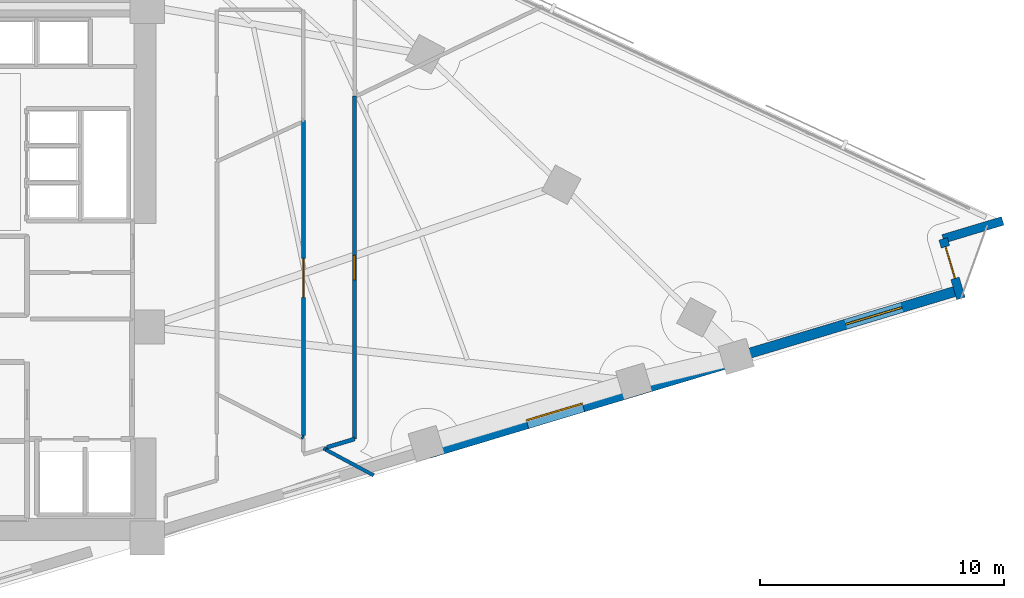
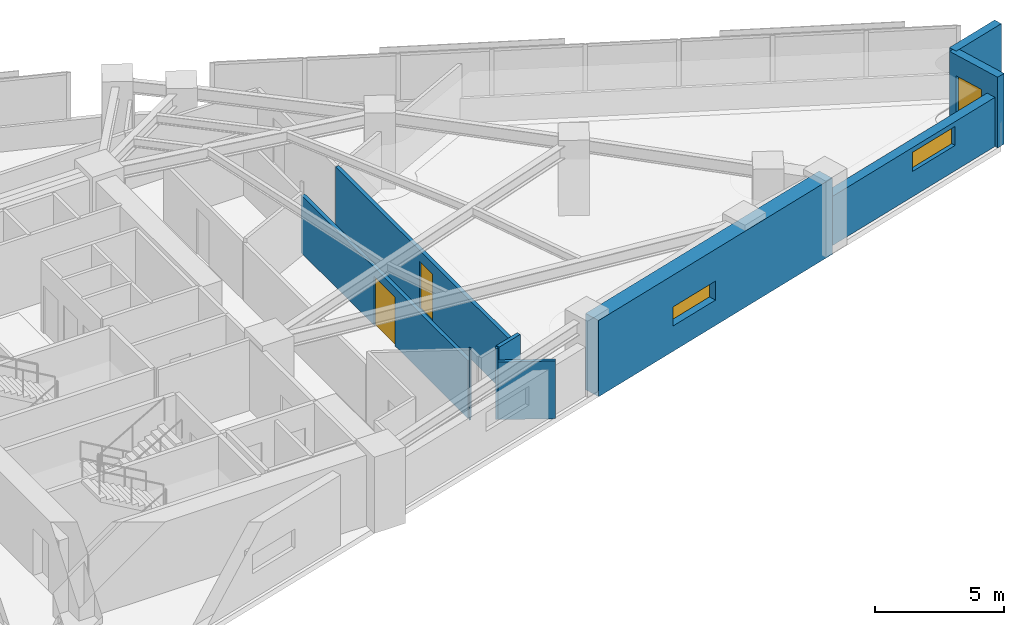
# One storey, part 12 of 16: 10 walls, 3 doors, 2 windows, 5 openings.
"""IFC4 building model written with IfcOpenShell, lengths in metres."""

from ifc_helpers import new_model, si_unit, direction, frame, frame_2d, origin, place, context, subcontext, project, spatial, rectangle, extrude, material, layer, layer_set, type_object, element, fill, save


model = new_model("IFC4")

# Units and contexts
model_context = context("Model", 3, precision=1e-05, world=origin(), true_north=direction((0.0, 1.0)))
body_context = subcontext(model_context, "Body", "Model", "MODEL_VIEW")
ifc_project = project(units=[si_unit("LENGTHUNIT", "METRE"), si_unit("AREAUNIT", "SQUARE_METRE"), si_unit("VOLUMEUNIT", "CUBIC_METRE"), si_unit("PLANEANGLEUNIT", "RADIAN"), si_unit("MASSUNIT", "GRAM", prefix="KILO")], contexts=[model_context])

# Site, building, storey
site_placement = place(None, origin())
site = spatial("IfcSite", under=ifc_project, at=site_placement, CompositionType="ELEMENT")
building_placement = place(site_placement, origin())
building = spatial("IfcBuilding", under=site, at=building_placement, Name="Narakoshi Arena Tower", CompositionType="ELEMENT")
storey_placement = place(building_placement, frame((0.0, 0.0, 146.699951171875)))
storey = spatial("IfcBuildingStorey", under=building, at=storey_placement, Name="L39", CompositionType="ELEMENT", Elevation=146.699951171875)

# Wall, opening, door
ifc_material_1 = material(Name="Gypsum plasterboard fire-rated partition")
ifc_layer_1 = layer(ifc_material_1, 0.1650390625)
ifc_layer_set_1 = layer_set([ifc_layer_1], Name="Gypsum plasterboard fire-rated partition")
wall_type_1 = type_object("IfcWallType", Name="WL-CORR-165", PredefinedType="PARTITIONING", material=ifc_layer_set_1)
wall_1_placement = place(storey_placement, frame((91.949951171875, 51.816650390625, 0.0), z_axis=(0.0, 0.0, 1.0), x_axis=(0.0, -1.0, 0.0)))
wall_1 = element("IfcWall", 1, at=wall_1_placement, inside=storey, type_object=wall_type_1, Name="L39 Corridor Partition 03-1", PredefinedType="PARTITIONING", context=body_context, shape_type="SweptSolid", body=[
    extrude(rectangle(XDim=12.907958984375, YDim=0.1650390625, at=frame_2d((6.4541015625, 0.0))), origin(), (0.0, 0.0, 1.0), 2.72509765625),
])
opening_1_placement = place(wall_1_placement, frame((5.65380859375, 0.0, 0.0)))
opening_1 = element("IfcOpeningElement", 2, at=opening_1_placement, cuts=wall_1, Name="Opening D-05", PredefinedType="OPENING", context=body_context, shape_type="SweptSolid", body=[
    extrude(rectangle(XDim=1.60009765625, YDim=2.300048828125, at=frame_2d((0.800048828125, 1.14990234375))), frame((0.0, 0.092529296875, 0.0), z_axis=(0.0, -1.0, 0.0), x_axis=(1.0, 0.0, 0.0)), (0.0, 0.0, 1.0), 0.18505859375),
])
ifc_material_2 = material(Name="Stained oak solid-core timber", Category="wood")
door_type_1 = type_object("IfcDoorType", Name="DR-STE-1600", OperationType="DOUBLE_DOOR_SINGLE_SWING", PredefinedType="DOOR", material=ifc_material_2)
door_1_placement = place(opening_1_placement, frame((1.60009765625, 0.0, 0.0), z_axis=(0.0, 0.0, 1.0), x_axis=(-1.0, 0.0, 0.0)))
door_1 = element("IfcDoor", 3, at=door_1_placement, inside=storey, type_object=door_type_1, Name="DR-L39-017", OperationType="DOUBLE_DOOR_SINGLE_SWING", OverallHeight=2.300048828125, OverallWidth=1.60009765625, PredefinedType="DOOR", context=body_context, shape_type="SweptSolid", body=[
    extrude(rectangle(XDim=1.60009765625, YDim=2.300048828125, at=frame_2d((0.800048828125, 1.14990234375))), frame((0.0, 0.02490234375, 0.0), z_axis=(0.0, -1.0, 0.0), x_axis=(1.0, 0.0, 0.0)), (0.0, 0.0, 1.0), 0.050048828125),
])
fill(opening_1, door_1)

wall_2_placement = place(storey_placement, frame((94.050048828125, 38.757568359375, 0.0), z_axis=(0.0, 0.0, 1.0), x_axis=(0.0, 1.0, 0.0)))
wall_2 = element("IfcWall", 4, at=wall_2_placement, inside=storey, type_object=wall_type_1, Name="L39 Corridor Partition 04-1", PredefinedType="PARTITIONING", context=body_context, shape_type="SweptSolid", body=[
    extrude(rectangle(XDim=14.05419921875, YDim=0.1650390625, at=frame_2d((7.027099609375, 0.0))), origin(), (0.0, 0.0, 1.0), 2.72509765625),
])
opening_2_placement = place(wall_2_placement, frame((6.527099609375, 0.0, 0.0)))
opening_2 = element("IfcOpeningElement", 5, at=opening_2_placement, cuts=wall_2, Name="Opening D-06", PredefinedType="OPENING", context=body_context, shape_type="SweptSolid", body=[
    extrude(rectangle(XDim=1.0, YDim=2.199951171875, at=frame_2d((0.5, 1.10009765625))), frame((0.0, 0.092529296875, 0.0), z_axis=(0.0, -1.0, 0.0), x_axis=(1.0, 0.0, 0.0)), (0.0, 0.0, 1.0), 0.18505859375),
])
door_type_2 = type_object("IfcDoorType", Name="DR-OFF-1000", OperationType="NOTDEFINED", PredefinedType="DOOR", material=ifc_material_2)
door_2_placement = place(opening_2_placement, frame((1.0, 0.0, 0.0), z_axis=(0.0, 0.0, 1.0), x_axis=(-1.0, 0.0, 0.0)))
door_2 = element("IfcDoor", 6, at=door_2_placement, inside=storey, type_object=door_type_2, Name="DR-L39-018", OperationType="SINGLE_SWING_RIGHT", OverallHeight=2.199951171875, OverallWidth=1.0, PredefinedType="DOOR", context=body_context, shape_type="SweptSolid", body=[
    extrude(rectangle(XDim=1.0, YDim=2.199951171875, at=frame_2d((0.5, 1.10009765625))), frame((0.0, 0.02490234375, 0.0), z_axis=(0.0, -1.0, 0.0), x_axis=(1.0, 0.0, 0.0)), (0.0, 0.0, 1.0), 0.050048828125),
])
fill(opening_2, door_2)

# Wall
wall_3_placement = place(storey_placement, frame((92.908203125, 38.4140625, 0.0), z_axis=(0.0, 0.0, 1.0), x_axis=(0.957606229728, 0.28808038598, 0.0)))
element("IfcWall", 7, at=wall_3_placement, inside=storey, type_object=wall_type_1, Name="L39 Corridor Partition 04-2", PredefinedType="PARTITIONING", context=body_context, shape_type="SweptSolid", body=[
    extrude(rectangle(XDim=1.1923828125, YDim=0.1650390625, at=frame_2d((0.59619140625, 0.0))), origin(), (0.0, 0.0, 1.0), 3.340087890625),
])

# Wall, opening, window
ifc_material_3 = material(Name="Concrete C60/75", Category="concrete")
ifc_layer_2 = layer(ifc_material_3, 0.699951171875)
ifc_layer_set_2 = layer_set([ifc_layer_2], Name="Concrete C60/75")
wall_type_2 = type_object("IfcWallType", Name="WL-LEG-700", PredefinedType="SHEAR", material=ifc_layer_set_2)
wall_4_placement = place(storey_placement, frame((97.062255859375, 38.306640625, -0.260009765625), z_axis=(0.0, 0.0, 1.0), x_axis=(0.957569832102, 0.288201347408, 0.0)))
wall_4 = element("IfcWall", 8, at=wall_4_placement, inside=storey, type_object=wall_type_2, Name="L39 Architectural Concrete Structural Wall LEGA-3", PredefinedType="SHEAR", context=body_context, shape_type="SweptSolid", body=[
    extrude(rectangle(XDim=13.198974609375, YDim=0.699951171875, at=frame_2d((6.599609375, 0.0))), origin(), (0.0, 0.0, 1.0), 3.60009765625),
])
opening_3_placement = place(wall_4_placement, frame((4.201171875, 0.0, 1.199951171875)))
opening_3 = element("IfcOpeningElement", 9, at=opening_3_placement, cuts=wall_4, Name="Opening WN-01", PredefinedType="OPENING", context=body_context, shape_type="SweptSolid", body=[
    extrude(rectangle(XDim=2.39990234375, YDim=0.89990234375, at=frame_2d((1.199951171875, 0.449951171875))), frame((0.0, 0.35986328125, 0.0), z_axis=(0.0, -1.0, 0.0), x_axis=(1.0, 0.0, 0.0)), (0.0, 0.0, 1.0), 0.719970703125),
])
ifc_material_4 = material(Name="Bronze-tinted low-E laminated glass", Category="glass")
window_type = type_object("IfcWindowType", Name="WIN-SLT-24x09", PartitioningType="SINGLE_PANEL", PredefinedType="WINDOW", material=ifc_material_4)
window_1_placement = place(opening_3_placement, origin())
window_1 = element("IfcWindow", 10, at=window_1_placement, inside=storey, type_object=window_type, Name="L39 LEGA3 Horizontal Slot Window 1", OverallHeight=0.89990234375, OverallWidth=2.39990234375, PartitioningType="SINGLE_PANEL", PredefinedType="WINDOW", context=body_context, shape_type="SweptSolid", body=[
    extrude(rectangle(XDim=2.39990234375, YDim=0.89990234375, at=frame_2d((1.199951171875, 0.449951171875))), frame((0.0, 0.030029296875, 0.0), z_axis=(0.0, -1.0, 0.0), x_axis=(1.0, 0.0, 0.0)), (0.0, 0.0, 1.0), 0.06005859375),
])
fill(opening_3, window_1)

ifc_material_5 = material(Name="Precast concrete C45/55", Category="concrete")
ifc_layer_3 = layer(ifc_material_5, 0.419921875)
ifc_layer_set_3 = layer_set([ifc_layer_3], Name="Precast concrete C45/55")
wall_type_3 = type_object("IfcWallType", Name="WL-POD-420", PredefinedType="SOLIDWALL", material=ifc_layer_set_3)
wall_5_placement = place(storey_placement, frame((109.701171875, 42.110595703125, 0.0), z_axis=(0.0, 0.0, 1.0), x_axis=(0.957575807765, 0.288181492091, 0.0)))
wall_5 = element("IfcWall", 11, at=wall_5_placement, inside=storey, type_object=wall_type_3, Name="L39 Architectural Concrete Facade Wall LEGA-4", PredefinedType="SOLIDWALL", context=body_context, shape_type="SweptSolid", body=[
    extrude(rectangle(XDim=9.510498046875, YDim=0.419921875, at=frame_2d((4.75537109375, 0.0))), origin(), (0.0, 0.0, 1.0), 2.324951171875),
])
opening_4_placement = place(wall_5_placement, frame((4.679443359375, 0.0, 1.199951171875)))
opening_4 = element("IfcOpeningElement", 12, at=opening_4_placement, cuts=wall_5, Name="Opening WN-01", PredefinedType="OPENING", context=body_context, shape_type="SweptSolid", body=[
    extrude(rectangle(XDim=2.39990234375, YDim=0.89990234375, at=frame_2d((1.199951171875, 0.449951171875))), frame((0.0, 0.219970703125, 0.0), z_axis=(0.0, -1.0, 0.0), x_axis=(1.0, 0.0, 0.0)), (0.0, 0.0, 1.0), 0.43994140625),
])
window_2_placement = place(opening_4_placement, origin())
window_2 = element("IfcWindow", 13, at=window_2_placement, inside=storey, type_object=window_type, Name="L39 LEGA4 Horizontal Slot Window 1", OverallHeight=0.89990234375, OverallWidth=2.39990234375, PartitioningType="SINGLE_PANEL", PredefinedType="WINDOW", context=body_context, shape_type="SweptSolid", body=[
    extrude(rectangle(XDim=2.39990234375, YDim=0.89990234375, at=frame_2d((1.199951171875, 0.449951171875))), frame((0.0, 0.030029296875, 0.0), z_axis=(0.0, -1.0, 0.0), x_axis=(1.0, 0.0, 0.0)), (0.0, 0.0, 1.0), 0.06005859375),
])
fill(opening_4, window_2)

# Wall, opening, door
wall_6_placement = place(storey_placement, frame((118.908935546875, 44.51611328125, 0.0), z_axis=(0.0, 0.0, 1.0), x_axis=(-0.288172590882, 0.95757848653, 0.0)))
wall_6 = element("IfcWall", 14, at=wall_6_placement, inside=storey, type_object=wall_type_3, Name="L39 Re-Entrant Corner Notch Wall NTE-1", PredefinedType="SOLIDWALL", context=body_context, shape_type="SweptSolid", body=[
    extrude(rectangle(XDim=2.552734375, YDim=0.360107421875, at=frame_2d((1.2763671875, 0.0))), origin(), (0.0, 0.0, 1.0), 3.340087890625),
])
opening_5_placement = place(wall_6_placement, frame((0.862548828125, 0.0, 0.0)))
opening_5 = element("IfcOpeningElement", 15, at=opening_5_placement, cuts=wall_6, Name="Opening D-12", PredefinedType="OPENING", context=body_context, shape_type="SweptSolid", body=[
    extrude(rectangle(XDim=1.35009765625, YDim=2.35009765625, at=frame_2d((0.675048828125, 1.175048828125))), frame((0.0, 0.18994140625, 0.0), z_axis=(0.0, -1.0, 0.0), x_axis=(1.0, 0.0, 0.0)), (0.0, 0.0, 1.0), 0.380126953125),
])
ifc_material_6 = material(Name="Anodised bronze aluminium 6063-T6", Category="aluminium")
door_type_3 = type_object("IfcDoorType", Name="DR-LOG-1350", OperationType="DOUBLE_DOOR_SLIDING", PredefinedType="DOOR", material=ifc_material_6)
door_3_placement = place(opening_5_placement, origin())
door_3 = element("IfcDoor", 16, at=door_3_placement, inside=storey, type_object=door_type_3, Name="DR-L39-001", OperationType="DOUBLE_DOOR_SLIDING", OverallHeight=2.35009765625, OverallWidth=1.35009765625, PredefinedType="DOOR", context=body_context, shape_type="SweptSolid", body=[
    extrude(rectangle(XDim=1.35009765625, YDim=2.35009765625, at=frame_2d((0.675048828125, 1.175048828125))), frame((0.0, 0.02490234375, 0.0), z_axis=(0.0, -1.0, 0.0), x_axis=(1.0, 0.0, 0.0)), (0.0, 0.0, 1.0), 0.050048828125),
])
fill(opening_5, door_3)

# Walls
wall_7_placement = place(storey_placement, frame((118.17333984375, 46.96044921875, 0.0), z_axis=(0.0, 0.0, 1.0), x_axis=(0.95757848653, 0.288172590882, 0.0)))
element("IfcWall", 17, at=wall_7_placement, inside=storey, type_object=wall_type_3, Name="L39 Re-Entrant Corner Notch Wall NTE-2", PredefinedType="SOLIDWALL", context=body_context, shape_type="SweptSolid", body=[
    extrude(rectangle(XDim=2.552734375, YDim=0.360107421875, at=frame_2d((1.2763671875, 0.0))), origin(), (0.0, 0.0, 1.0), 3.340087890625),
])
ifc_material_7 = material(Name="Moisture-resistant cement-board partition")
ifc_layer_4 = layer(ifc_material_7, 0.14501953125)
ifc_layer_set_4 = layer_set([ifc_layer_4], Name="Moisture-resistant cement-board partition")
wall_type_4 = type_object("IfcWallType", Name="WL-WET-145", PredefinedType="PARTITIONING", material=ifc_layer_set_4)
wall_8_placement = place(storey_placement, frame((92.79345703125, 38.37939453125, 0.0), z_axis=(0.0, 0.0, 1.0), x_axis=(0.888695064133, -0.458498727355, 0.0)))
element("IfcWall", 18, at=wall_8_placement, inside=storey, type_object=wall_type_4, Name="L39 Corridor Partition 02-5", PredefinedType="PARTITIONING", context=body_context, shape_type="SweptSolid", body=[
    extrude(rectangle(XDim=0.086181640625, YDim=0.14501953125, at=frame_2d((0.04296875, 0.0))), origin(), (0.0, 0.0, 1.0), 3.340087890625),
])
wall_9_placement = place(storey_placement, frame((91.889892578125, 38.8447265625, 0.0), z_axis=(0.0, 0.0, 1.0), x_axis=(0.888573163897, -0.458734926077, 0.0)))
element("IfcWall", 19, at=wall_9_placement, inside=storey, type_object=wall_type_4, Name="L39 Corridor Partition 02-6", PredefinedType="PARTITIONING", context=body_context, shape_type="SweptSolid", body=[
    extrude(rectangle(XDim=0.067626953125, YDim=0.14501953125, at=frame_2d((0.03369140625, 0.0))), origin(), (0.0, 0.0, 1.0), 3.340087890625),
])
wall_10_placement = place(storey_placement, frame((92.861328125, 38.322509765625, 0.0), z_axis=(0.0, 0.0, 1.0), x_axis=(0.881085701949, -0.472956642644, 0.0)))
element("IfcWall", 20, at=wall_10_placement, inside=storey, type_object=wall_type_4, Name="L39 Inter-Room Partition 02-04", PredefinedType="PARTITIONING", context=body_context, shape_type="SweptSolid", body=[
    extrude(rectangle(XDim=2.2294921875, YDim=0.14501953125, at=frame_2d((1.11474609375, 0.0))), origin(), (0.0, 0.0, 1.0), 2.72509765625),
])

save(model, "model.ifc")
